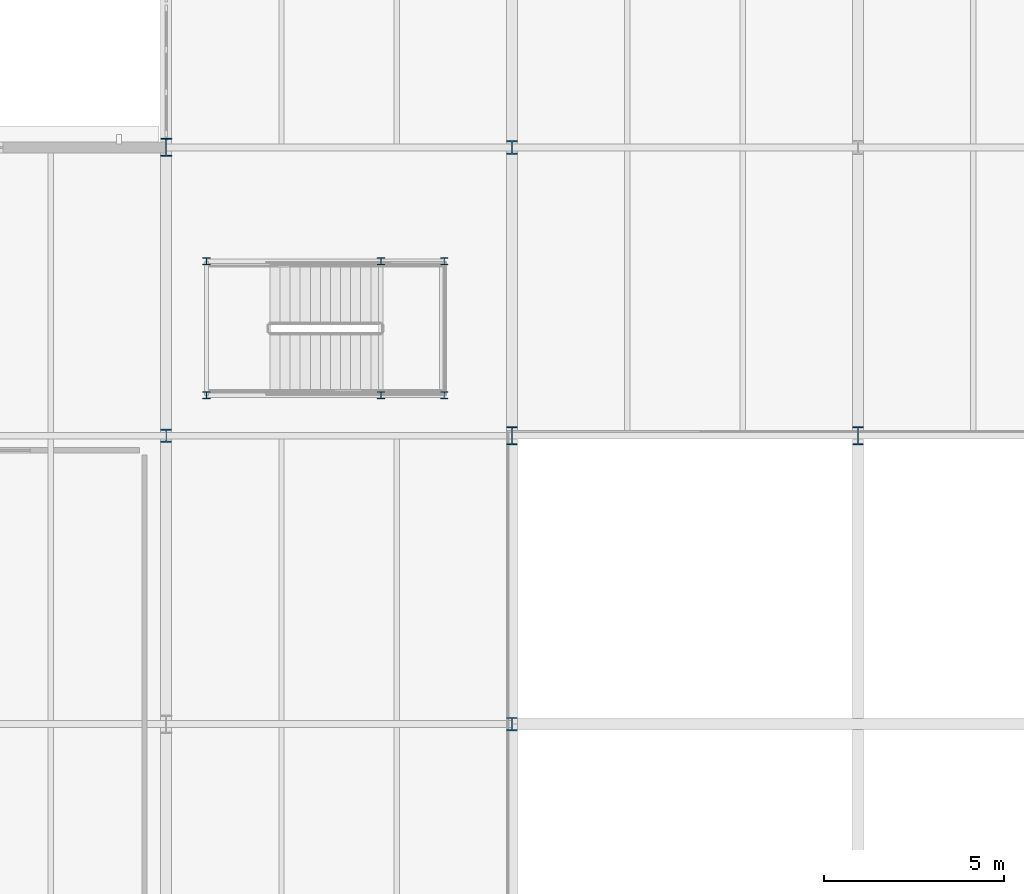
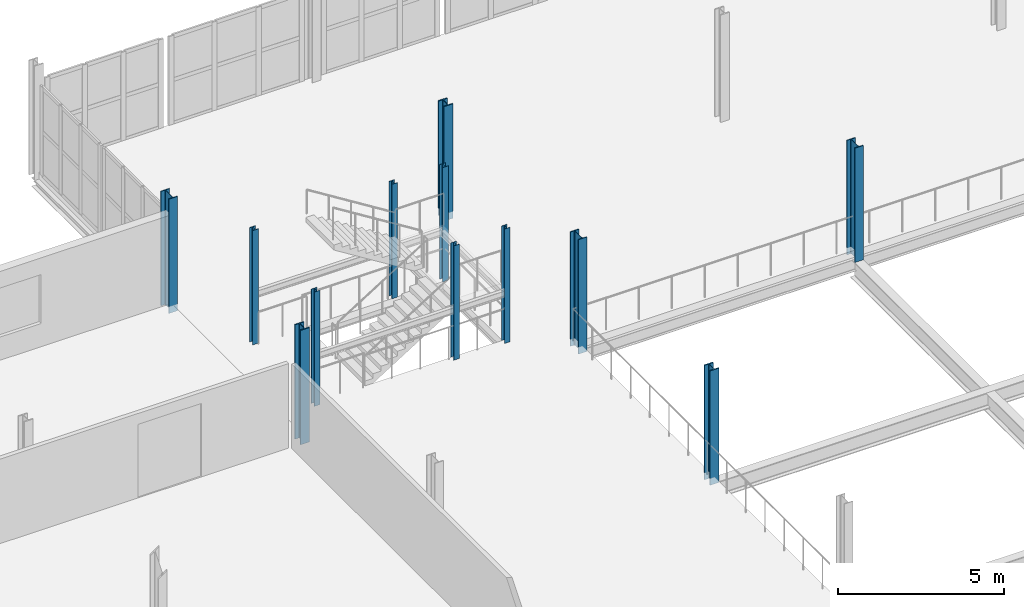
# One storey, part 19 of 78: 12 columns.
"""IFC4 building model written with IfcOpenShell, lengths in metres."""

from ifc_helpers import new_model, si_unit, direction, frame, origin, origin_2d, place, context, subcontext, project, spatial, i_section, extrude, material, material_profile, profile_set, type_object, element, save


model = new_model("IFC4")

# Units and contexts
model_context = context("Model", 3, precision=1e-05, world=origin(), true_north=direction((0.0, 1.0)))
body_context = subcontext(model_context, "Body", "Model", "MODEL_VIEW")
ifc_project = project(units=[si_unit("LENGTHUNIT", "METRE"), si_unit("AREAUNIT", "SQUARE_METRE"), si_unit("VOLUMEUNIT", "CUBIC_METRE"), si_unit("PLANEANGLEUNIT", "RADIAN"), si_unit("MASSUNIT", "GRAM", prefix="KILO")], contexts=[model_context])

# Site, building, storey
site_placement = place(None, origin())
site = spatial("IfcSite", under=ifc_project, at=site_placement, CompositionType="ELEMENT")
building_placement = place(site_placement, origin())
building = spatial("IfcBuilding", under=site, at=building_placement, Name="Alderhovde Museum", CompositionType="ELEMENT")
storey_placement = place(building_placement, frame((0.0, 0.0, 4.5)))
storey = spatial("IfcBuildingStorey", under=building, at=storey_placement, Name="L01", CompositionType="ELEMENT", Elevation=4.5)

# Columns
ifc_material_1 = material(Name="Steel S355J2", Category="steel")
ifc_material_profile_1 = material_profile(ifc_material_1, i_section(OverallWidth=0.199951171875, OverallDepth=0.18994140625, WebThickness=0.006591796875, FlangeThickness=0.010009765625, FilletRadius=0.01806640625, at=origin_2d()), Name="HEA 200")
ifc_profile_set_1 = profile_set([ifc_material_profile_1], Name="Steel S355J2")
column_type_1 = type_object("IfcColumnType", Name="COL-HEA200", PredefinedType="COLUMN", material=ifc_profile_set_1)
for number, where, z_axis, x_axis, name in (
    (1, (77.919921875, 73.1201171875, 0.0), (0.0, 0.0, 1.0), (1.0, 0.0, 0.0), "L01 Stair ST5 Shaft Column 1"),
    (2, (84.52001953125, 73.1201171875, 0.0), (0.0, 0.0, 1.0), (1.0, 0.0, 0.0), "L01 Stair ST5 Shaft Column 2"),
    (3, (84.52001953125, 76.840087890625, 0.0), (0.0, 0.0, 1.0), (1.0, 0.0, 0.0), "L01 Stair ST5 Shaft Column 3"),
    (4, (77.919921875, 76.840087890625, 0.0), (0.0, 0.0, 1.0), (1.0, 0.0, 0.0), "L01 Stair ST5 Shaft Column 4"),
    (5, (82.760009765625, 73.1201171875, 0.0), (0.0, 0.0, 1.0), (1.0, 0.0, 0.0), "L01 Stair ST5 Shaft Column 5"),
    (6, (82.760009765625, 76.840087890625, 0.0), (0.0, 0.0, 1.0), (1.0, 0.0, 0.0), "L01 Stair ST5 Shaft Column 6"),
):
    element("IfcColumn", number, at=place(storey_placement, frame(where, z_axis=z_axis, x_axis=x_axis)), inside=storey, type_object=column_type_1, Name=name, PredefinedType="COLUMN", context=body_context, shape_type="SweptSolid", body=[
        extrude(i_section(OverallWidth=0.199951171875, OverallDepth=0.18994140625, WebThickness=0.006591796875, FlangeThickness=0.010009765625, FilletRadius=0.01806640625, at=origin_2d()), origin(), (0.0, 0.0, 1.0), 4.199951171875),
    ])
ifc_material_2 = material(Name="Steel S355J2", Category="steel")
ifc_material_profile_2 = material_profile(ifc_material_2, i_section(OverallWidth=0.300048828125, OverallDepth=0.5, WebThickness=0.014404296875, FlangeThickness=0.028076171875, FilletRadius=0.027099609375, at=origin_2d()), Name="HEB 500")
ifc_profile_set_2 = profile_set([ifc_material_profile_2], Name="Steel S355J2")
column_type_2 = type_object("IfcColumnType", Name="COL-HEB500", PredefinedType="COLUMN", material=ifc_profile_set_2)
for number, where, z_axis, x_axis, name in (
    (7, (76.800048828125, 80.0, -0.260009765625), (0.0, 0.0, 1.0), (1.0, 0.0, 0.0), "L01 Column (76.8, 80.0)"),
    (8, (86.39990234375, 72.0, -0.260009765625), (0.0, 0.0, 1.0), (1.0, 0.0, 0.0), "L01 Column (86.4, 72.0)"),
    (9, (96.0, 72.0, -0.260009765625), (0.0, 0.0, 1.0), (1.0, 0.0, 0.0), "L01 Column (96.0, 72.0)"),
):
    element("IfcColumn", number, at=place(storey_placement, frame(where, z_axis=z_axis, x_axis=x_axis)), inside=storey, type_object=column_type_2, Name=name, PredefinedType="COLUMN", context=body_context, shape_type="SweptSolid", body=[
        extrude(i_section(OverallWidth=0.300048828125, OverallDepth=0.5, WebThickness=0.014404296875, FlangeThickness=0.028076171875, FilletRadius=0.027099609375, at=origin_2d()), origin(), (0.0, 0.0, 1.0), 4.199951171875),
    ])
ifc_material_3 = material(Name="Steel S355J2", Category="steel")
ifc_material_profile_3 = material_profile(ifc_material_3, i_section(OverallWidth=0.30908203125, OverallDepth=0.376953125, WebThickness=0.02099609375, FlangeThickness=0.0400390625, FilletRadius=0.027099609375, at=origin_2d()), Name="HEM 340")
ifc_profile_set_3 = profile_set([ifc_material_profile_3], Name="Steel S355J2")
column_type_3 = type_object("IfcColumnType", Name="COL-HEM340", PredefinedType="COLUMN", material=ifc_profile_set_3)
for number, where, z_axis, x_axis, name in (
    (10, (76.800048828125, 72.0, -0.260009765625), (0.0, 0.0, 1.0), (1.0, 0.0, 0.0), "L01 Column (76.8, 72.0)"),
    (11, (86.39990234375, 64.0, -0.260009765625), (0.0, 0.0, 1.0), (1.0, 0.0, 0.0), "L01 Column (86.4, 64.0)"),
    (12, (86.39990234375, 80.0, -0.260009765625), (0.0, 0.0, 1.0), (1.0, 0.0, 0.0), "L01 Column (86.4, 80.0)"),
):
    element("IfcColumn", number, at=place(storey_placement, frame(where, z_axis=z_axis, x_axis=x_axis)), inside=storey, type_object=column_type_3, Name=name, PredefinedType="COLUMN", context=body_context, shape_type="SweptSolid", body=[
        extrude(i_section(OverallWidth=0.30908203125, OverallDepth=0.376953125, WebThickness=0.02099609375, FlangeThickness=0.0400390625, FilletRadius=0.027099609375, at=origin_2d()), origin(), (0.0, 0.0, 1.0), 4.199951171875),
    ])

save(model, "model.ifc")
